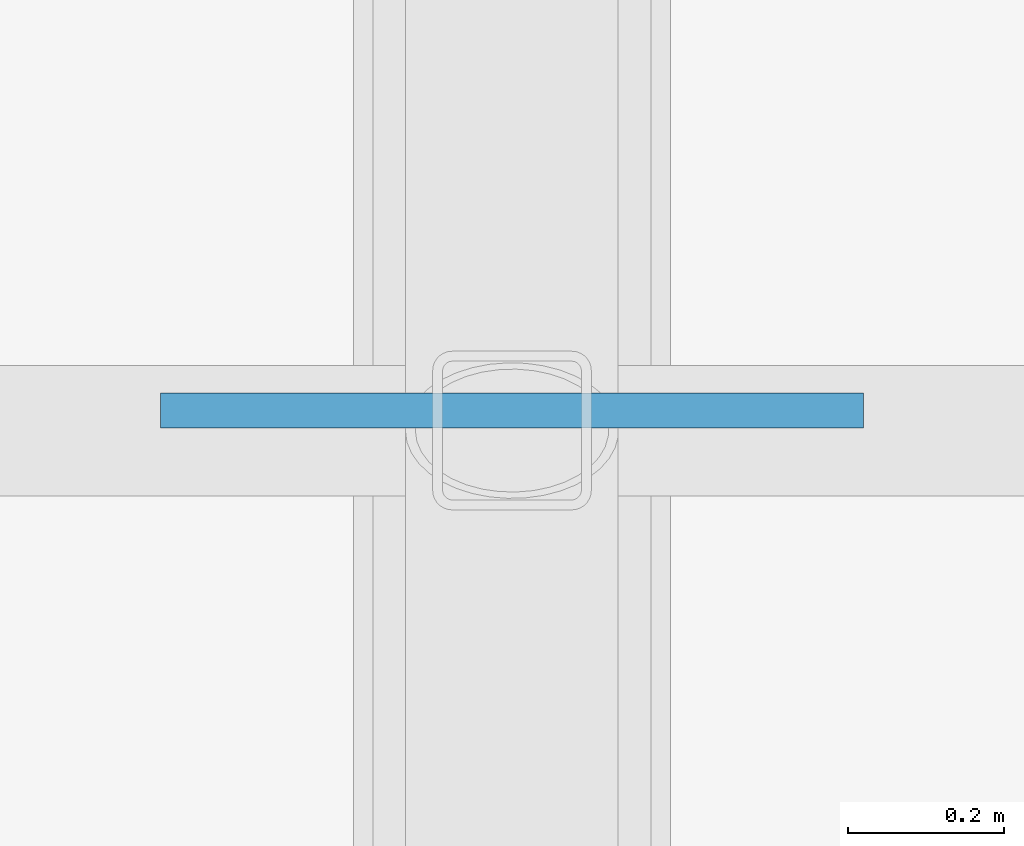
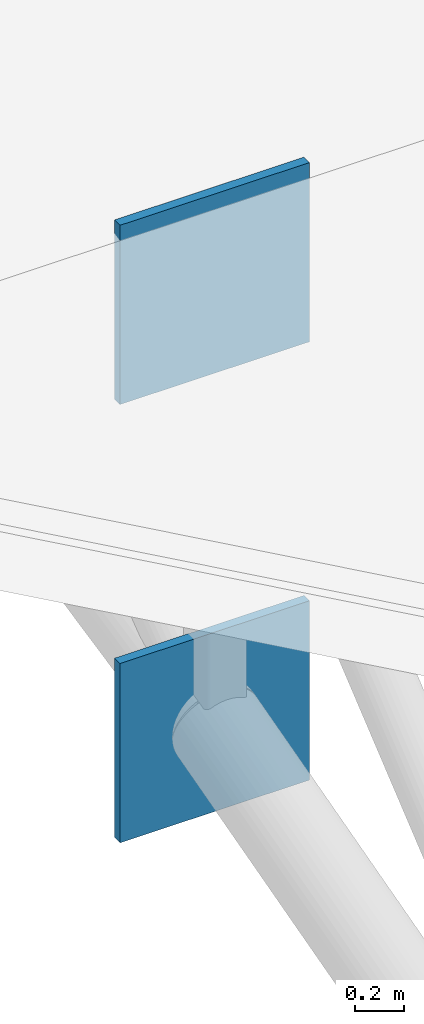
# One storey, part 69 of 98: 2 plates.
"""IFC4 building model written with IfcOpenShell, lengths in metres."""

import ifcopenshell
import ifcopenshell.guid

model = None  # the IFC model being written
_history = None  # IfcOwnerHistory: only IFC2X3 demands one
_inside = {}  # id of a spatial element -> (the spatial element, [elements in it])
_under = {}  # id of a project, library or spatial element -> (it, [spatial elements below it])
_declared = {}  # id of a project -> (the project, [libraries it declares])
_typed = {}  # id of a type object -> (the type object, [elements of that type])
_made_of = {}  # id of a material, layer set ... -> (it, [elements and type objects made of it])


def new_model(schema):
    """Start an empty IFC model of exactly this schema.

    Asked for "IFC4X3", IfcOpenShell would pick the latest addendum, in which some entities
    have other attributes; the version numbers below select the first issue.
    IFC2X3 requires an IfcOwnerHistory on every rooted entity: one is made here for all.
    """
    global model, _history
    if schema == "IFC4X3":
        model = ifcopenshell.file(schema_version=(4, 3, 0, 0))
    else:
        model = ifcopenshell.file(schema=schema)
    _inside.clear()
    _under.clear()
    _declared.clear()
    _typed.clear()
    _made_of.clear()
    _history = None
    if model.schema == "IFC2X3":
        org = make("IfcOrganization", Name="unknown")
        user = make(
            "IfcPersonAndOrganization",
            ThePerson=make("IfcPerson", FamilyName="unknown"),
            TheOrganization=org,
        )
        app = make(
            "IfcApplication",
            ApplicationDeveloper=org,
            Version="unknown",
            ApplicationFullName="unknown",
            ApplicationIdentifier="unknown",
        )
        _history = make(
            "IfcOwnerHistory",
            OwningUser=user,
            OwningApplication=app,
            ChangeAction="ADDED",
            CreationDate=0,
        )
    return model


def make(cls, **values):
    """One entity of the class cls with the attributes given. An attribute that is None is left unset."""
    return model.create_entity(
        cls, **{name: value for name, value in values.items() if value is not None}
    )


def rooted(cls, **values):
    """An entity with a GlobalId (a new one), such as an element, a storey or a relation."""
    return make(cls, GlobalId=ifcopenshell.guid.new(), OwnerHistory=_history, **values)


def si_unit(unit_type, name, prefix=None):
    """IfcSIUnit, for example si_unit("LENGTHUNIT", "METRE", prefix="MILLI")."""
    return make("IfcSIUnit", UnitType=unit_type, Prefix=prefix, Name=name)


def assignment(units):
    """IfcUnitAssignment: the units of a project."""
    return None if units is None else make("IfcUnitAssignment", Units=units)


def point(xyz):
    """IfcCartesianPoint."""
    return None if xyz is None else make("IfcCartesianPoint", Coordinates=xyz)


def direction(xyz):
    """IfcDirection."""
    return None if xyz is None else make("IfcDirection", DirectionRatios=xyz)


def frame(location, z_axis=None, x_axis=None):
    """IfcAxis2Placement3D, a coordinate frame: its origin and axes. An axis left out is left unset."""
    return make(
        "IfcAxis2Placement3D",
        Location=point(location),
        Axis=direction(z_axis),
        RefDirection=direction(x_axis),
    )


def frame_2d(location, x_axis=None):
    """IfcAxis2Placement2D, a coordinate frame in the plane: its origin and x axis."""
    return make(
        "IfcAxis2Placement2D", Location=point(location), RefDirection=direction(x_axis)
    )


def origin():
    """The frame at (0, 0, 0) with its axes left unset."""
    return frame((0.0, 0.0, 0.0))


def origin_2d():
    """The frame at (0, 0) in the plane with its x axis left unset."""
    return frame_2d((0.0, 0.0))


def place(relative_to, where):
    """IfcLocalPlacement: puts the frame where relative to a parent placement (None: the world)."""
    return make(
        "IfcLocalPlacement", PlacementRelTo=relative_to, RelativePlacement=where
    )


def context(
    kind, dimensions, precision=None, world=None, true_north=None, identifier=None
):
    """IfcGeometricRepresentationContext, for example the 3D "Model" context."""
    return make(
        "IfcGeometricRepresentationContext",
        ContextIdentifier=identifier,
        ContextType=kind,
        CoordinateSpaceDimension=dimensions,
        Precision=precision,
        WorldCoordinateSystem=world,
        TrueNorth=true_north,
    )


def subcontext(parent, identifier, kind, view, scale=None):
    """IfcGeometricRepresentationSubContext, for example "Body" below "Model"."""
    return make(
        "IfcGeometricRepresentationSubContext",
        ContextIdentifier=identifier,
        ContextType=kind,
        ParentContext=parent,
        TargetScale=scale,
        TargetView=view,
    )


def project(units=None, contexts=None):
    """IfcProject with its units and contexts."""
    return rooted(
        "IfcProject",
        Name="project",
        RepresentationContexts=contexts,
        UnitsInContext=assignment(units),
    )


def spatial(cls, under=None, at=None, **own):
    """A site, building, storey or space (cls), placed at a placement, below another one or the project."""
    s = rooted(cls, ObjectPlacement=at, **own)
    if under is not None:
        _under.setdefault(under.id(), (under, []))[1].append(s)
    return s


def profile(cls, at=None, kind="AREA", **sizes):
    """A parametric profile (cls). Its sizes go by their IFC names, for example OverallWidth=200.0."""
    return make(cls, ProfileType=kind, Position=at, **sizes)


def rectangle(**sizes):
    """IfcRectangleProfileDef."""
    return profile("IfcRectangleProfileDef", **sizes)


def extrude(swept, where, along, depth):
    """IfcExtrudedAreaSolid: the profile swept, set in the frame where, extruded along a direction by depth."""
    return make(
        "IfcExtrudedAreaSolid",
        SweptArea=swept,
        Position=where,
        ExtrudedDirection=direction(along),
        Depth=depth,
    )


def shape(context_of_items, identifier, shape_type, items):
    """IfcShapeRepresentation: the items that make up one representation, for example the "Body"."""
    return make(
        "IfcShapeRepresentation",
        ContextOfItems=context_of_items,
        RepresentationIdentifier=identifier,
        RepresentationType=shape_type,
        Items=items,
    )


def material(Name=None, Category=None):
    """IfcMaterial."""
    return make("IfcMaterial", Name=Name, Category=Category)


def layer(
    of_material, thickness, ventilated=None, Name=None, Category=None, Priority=None
):
    """IfcMaterialLayer: one layer of a wall or slab, of a material (None: an air gap)."""
    return make(
        "IfcMaterialLayer",
        Material=of_material,
        LayerThickness=thickness,
        IsVentilated=ventilated,
        Name=Name,
        Category=Category,
        Priority=Priority,
    )


def layer_set(layers, Name=None):
    """IfcMaterialLayerSet."""
    return make("IfcMaterialLayerSet", MaterialLayers=layers, LayerSetName=Name)


def made_of(thing, what):
    """Note that an element or type object is made of a material, layer set ...; save() writes the relation."""
    if what is not None:
        _made_of.setdefault(what.id(), (what, []))[1].append(thing)
    return thing


def type_object(cls, material=None, **own):
    """A type object (cls), such as IfcWallType, which elements share."""
    return made_of(rooted(cls, **own), material)


def element(
    cls,
    number,
    at=None,
    inside=None,
    cuts=None,
    type_object=None,
    material=None,
    context=None,
    identifier="Body",
    shape_type=None,
    held_by="IfcProductDefinitionShape",
    body=None,
    shapes=None,
    **own,
):
    """One element of the class cls, such as IfcWall. Its Tag is "e" and its number.

    at: its placement. inside: the storey or other place that contains it. cuts: it is an
    opening in that element (IfcRelVoidsElement). A single representation is given by context,
    identifier, shape_type and body (its items); several are given by shapes. held_by: the class
    of the entity that holds the representations. save() writes the other relations.
    """
    e = rooted(cls, Tag="e%d" % number, ObjectPlacement=at, **own)
    if body is not None:
        shapes = [shape(context, identifier, shape_type, body)]
    if shapes is not None:
        e.Representation = make(held_by, Representations=shapes)
    if inside is not None:
        _inside.setdefault(inside.id(), (inside, []))[1].append(e)
    if cuts is not None:
        rooted(
            "IfcRelVoidsElement", RelatingBuildingElement=cuts, RelatedOpeningElement=e
        )
    if type_object is not None:
        _typed.setdefault(type_object.id(), (type_object, []))[1].append(e)
    return made_of(e, material)


def aggregate(whole, parts):
    """IfcRelAggregates: a whole, such as a stair, and the parts it consists of."""
    return rooted("IfcRelAggregates", RelatingObject=whole, RelatedObjects=parts)


def save(model, path):
    """Write the relations noted so far, then the file.

    IfcRelAggregates (storeys below a building ...), IfcRelContainedInSpatialStructure (elements
    in a storey), IfcRelDefinesByType, IfcRelAssociatesMaterial and IfcRelDeclares: one each for
    every whole, place, type object, material and project.
    """
    for whole, parts in _under.values():
        aggregate(whole, parts)
    for where, things in _inside.values():
        rooted(
            "IfcRelContainedInSpatialStructure",
            RelatedElements=things,
            RelatingStructure=where,
        )
    for kind, things in _typed.values():
        rooted("IfcRelDefinesByType", RelatedObjects=things, RelatingType=kind)
    for what, things in _made_of.values():
        rooted("IfcRelAssociatesMaterial", RelatedObjects=things, RelatingMaterial=what)
    for by, libraries in _declared.values():
        rooted("IfcRelDeclares", RelatingContext=by, RelatedDefinitions=libraries)
    model.write(path)


model = new_model("IFC4")

# Units and contexts
model_context = context("Model", 3, precision=1e-05, world=origin(), true_north=direction((0.0, 1.0)))
body_context = subcontext(model_context, "Body", "Model", "MODEL_VIEW")
ifc_project = project(units=[si_unit("LENGTHUNIT", "METRE"), si_unit("AREAUNIT", "SQUARE_METRE"), si_unit("VOLUMEUNIT", "CUBIC_METRE"), si_unit("PLANEANGLEUNIT", "RADIAN"), si_unit("MASSUNIT", "GRAM", prefix="KILO")], contexts=[model_context])

# Site, building, storey
site_placement = place(None, origin())
site = spatial("IfcSite", under=ifc_project, at=site_placement, CompositionType="ELEMENT")
building_placement = place(site_placement, origin())
building = spatial("IfcBuilding", under=site, at=building_placement, Name="Tlacozan Convention Centre", CompositionType="ELEMENT")
storey_placement = place(building_placement, frame((0.0, 0.0, 25.800048828125)))
storey = spatial("IfcBuildingStorey", under=building, at=storey_placement, Name="Roof", CompositionType="ELEMENT", Elevation=25.800048828125)

# Plates
ifc_material = material(Name="Steel ASTM A572 Grade 50", Category="steel")
ifc_layer = layer(ifc_material, 0.044921875)
ifc_layer_set = layer_set([ifc_layer], Name="Steel ASTM A572 Grade 50")
plate_type = type_object("IfcPlateType", Name="Arch Springing Node Gusset Plate", PredefinedType="SHEET", material=ifc_layer_set)
for number, where, z_axis, x_axis, name in (
    (1, (80.0, 78.025634765625, -4.9521484375), (0.0, 0.0, 1.0), (0.0, 1.0, 0.0), "Roof Gusset Cap Plate 349"),
    (2, (80.0, 78.025634765625, -7.152099609375), (0.0, 0.0, 1.0), (0.0, 1.0, 0.0), "Roof Gusset Cap Plate 350"),
):
    element("IfcPlate", number, at=place(storey_placement, frame(where, z_axis=z_axis, x_axis=x_axis)), inside=storey, type_object=plate_type, Name=name, PredefinedType="SHEET", context=body_context, shape_type="SweptSolid", body=[
        extrude(rectangle(XDim=0.044921875, YDim=0.89990234375, at=origin_2d()), origin(), (0.0, 0.0, 1.0), 0.89990234375),
    ])

save(model, "model.ifc")
